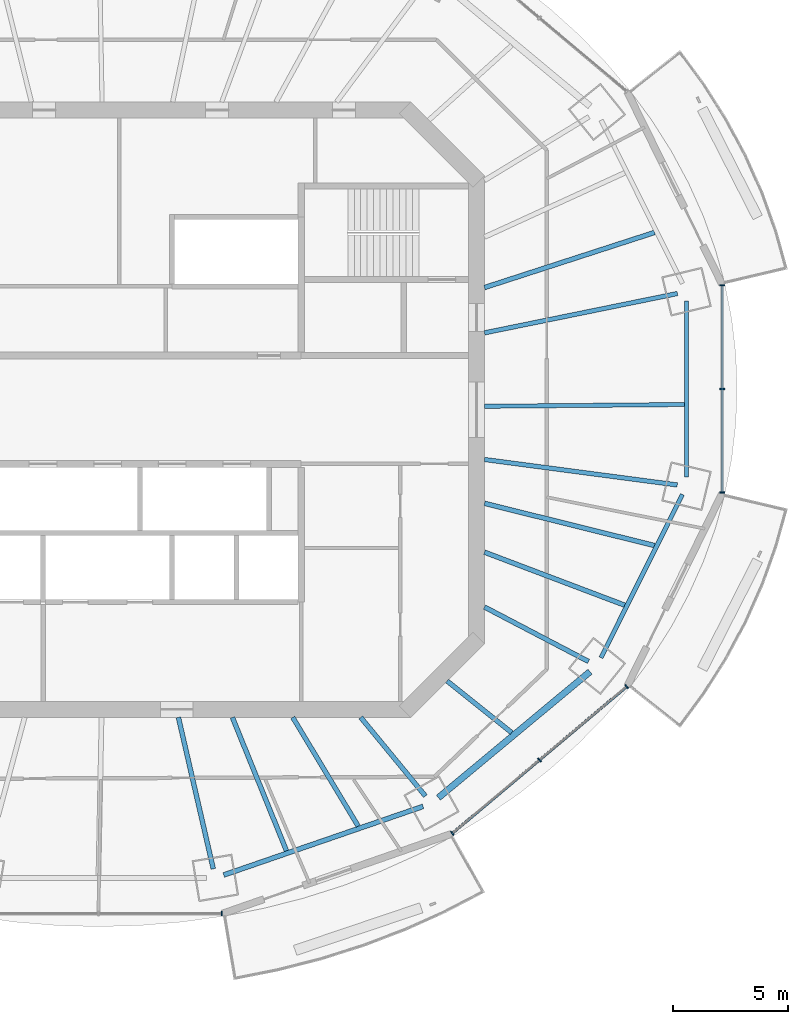
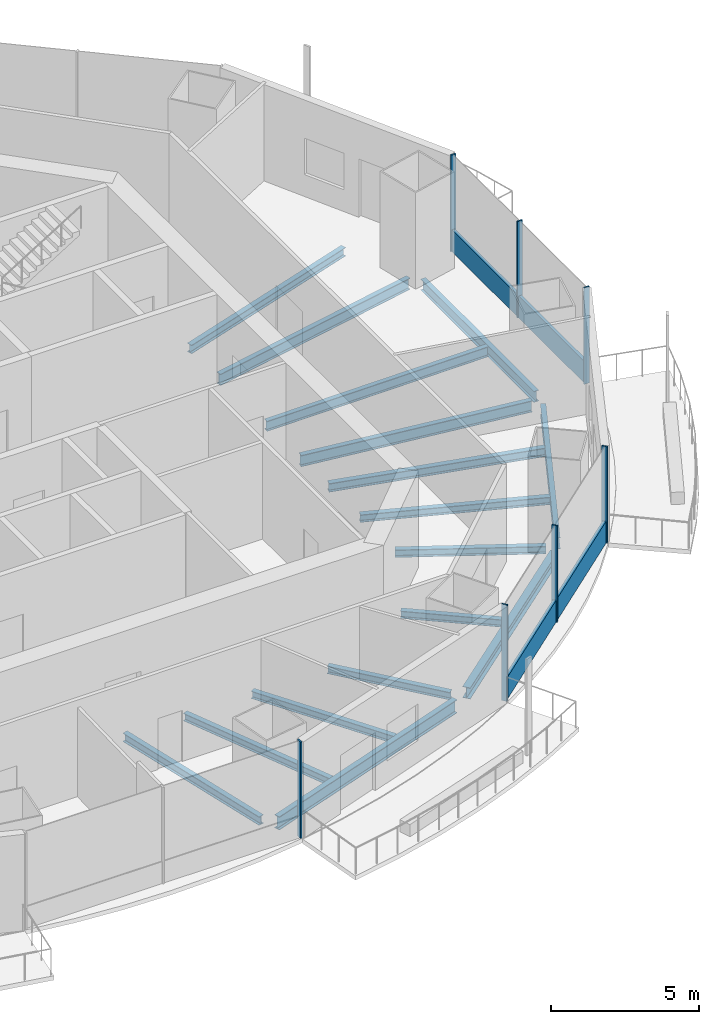
# One storey, part 4 of 16: 16 beams, 9 members, 3 elements without a shape of their own.
"""IFC4 building model written with IfcOpenShell, lengths in metres."""

from ifc_helpers import new_model, si_unit, direction, frame, origin, origin_2d, place, context, subcontext, project, spatial, rectangle, i_section, extrude, material, material_profile, profile_set, type_object, element, aggregate, save


model = new_model("IFC4")

# Units and contexts
model_context = context("Model", 3, precision=1e-05, world=origin(), true_north=direction((0.0, 1.0)))
body_context = subcontext(model_context, "Body", "Model", "MODEL_VIEW")
ifc_project = project(units=[si_unit("LENGTHUNIT", "METRE"), si_unit("AREAUNIT", "SQUARE_METRE"), si_unit("VOLUMEUNIT", "CUBIC_METRE"), si_unit("PLANEANGLEUNIT", "RADIAN"), si_unit("MASSUNIT", "GRAM", prefix="KILO")], contexts=[model_context])

# Site, building, storey
site_placement = place(None, origin())
site = spatial("IfcSite", under=ifc_project, at=site_placement, CompositionType="ELEMENT")
building_placement = place(site_placement, origin())
building = spatial("IfcBuilding", under=site, at=building_placement, Name="Marenthal Gate Tower", CompositionType="ELEMENT")
storey_placement = place(building_placement, frame((0.0, 0.0, 321.85009765625)))
storey = spatial("IfcBuildingStorey", under=building, at=storey_placement, Name="L72", CompositionType="ELEMENT", Elevation=321.85009765625)

# Curtain wall, member
ifc_material_1 = material(Name="Aluminium and glass", Category="aluminium")
curtain_wall_type = type_object("IfcCurtainWallType", Name="Curtain wall typical high", PredefinedType="NOTDEFINED", material=ifc_material_1)
curtain_wall_1_placement = place(storey_placement, origin())
curtain_wall_1 = element("IfcCurtainWall", 1, at=curtain_wall_1_placement, inside=storey, type_object=curtain_wall_type, Name="Curtain wall L72 bay 12", PredefinedType="NOTDEFINED")
ifc_material_2 = material(Name="Aluminium", Category="aluminium")
ifc_material_profile_1 = material_profile(ifc_material_2, rectangle(XDim=0.199951171875, YDim=0.06005859375, at=origin_2d()), Name="60x200 aluminium mullion")
ifc_profile_set_1 = profile_set([ifc_material_profile_1], Name="Aluminium")
member_type_1 = type_object("IfcMemberType", Name="Mullion 60x200 typical high", PredefinedType="MULLION", material=ifc_profile_set_1)
member_1_placement = place(storey_placement, frame((4.952880859375, -21.861083984375, 0.0), z_axis=(0.0, 0.0, 1.0), x_axis=(0.0, 1.0, 0.0)))
member_1 = element("IfcMember", 2, at=member_1_placement, type_object=member_type_1, Name="Mullion L72 bay 12.3", PredefinedType="MULLION", context=body_context, shape_type="SweptSolid", body=[
    extrude(rectangle(XDim=0.199951171875, YDim=0.06005859375, at=origin_2d()), origin(), (0.0, 0.0, 1.0), 3.969970703125),
])
aggregate(curtain_wall_1, [member_1])

# Curtain wall, members
curtain_wall_2_placement = place(storey_placement, origin())
curtain_wall_2 = element("IfcCurtainWall", 3, at=curtain_wall_2_placement, inside=storey, type_object=curtain_wall_type, Name="Curtain wall L72 bay 14", PredefinedType="NOTDEFINED")
member_2_placement = place(storey_placement, frame((14.9521484375, -18.376708984375, 0.0), z_axis=(0.0, 0.0, 1.0), x_axis=(-0.643676220215, 0.76529793122, 0.0)))
member_2 = element("IfcMember", 4, at=member_2_placement, type_object=member_type_1, Name="Mullion L72 bay 14.1", PredefinedType="MULLION", context=body_context, shape_type="SweptSolid", body=[
    extrude(rectangle(XDim=0.199951171875, YDim=0.06005859375, at=origin_2d()), origin(), (0.0, 0.0, 1.0), 3.969970703125),
])
member_3_placement = place(storey_placement, frame((18.735595703125, -15.194580078125, 0.0), z_axis=(0.0, 0.0, 1.0), x_axis=(-0.643676220215, 0.76529793122, 0.0)))
member_3 = element("IfcMember", 5, at=member_3_placement, type_object=member_type_1, Name="Mullion L72 bay 14.2", PredefinedType="MULLION", context=body_context, shape_type="SweptSolid", body=[
    extrude(rectangle(XDim=0.199951171875, YDim=0.06005859375, at=origin_2d()), origin(), (0.0, 0.0, 1.0), 3.969970703125),
])
member_4_placement = place(storey_placement, frame((22.518798828125, -12.012451171875, 0.0), z_axis=(0.0, 0.0, 1.0), x_axis=(-0.643676220215, 0.76529793122, 0.0)))
member_4 = element("IfcMember", 6, at=member_4_placement, type_object=member_type_1, Name="Mullion L72 bay 14.3", PredefinedType="MULLION", context=body_context, shape_type="SweptSolid", body=[
    extrude(rectangle(XDim=0.199951171875, YDim=0.06005859375, at=origin_2d()), origin(), (0.0, 0.0, 1.0), 3.969970703125),
])

curtain_wall_3_placement = place(storey_placement, origin())
curtain_wall_3 = element("IfcCurtainWall", 7, at=curtain_wall_3_placement, inside=storey, type_object=curtain_wall_type, Name="Curtain wall L72 bay 16", PredefinedType="NOTDEFINED")
member_5_placement = place(storey_placement, frame((26.661865234375, -3.597412109375, 0.0), z_axis=(0.0, 0.0, 1.0), x_axis=(-1.0, 0.0, 0.0)))
member_5 = element("IfcMember", 8, at=member_5_placement, type_object=member_type_1, Name="Mullion L72 bay 16.1", PredefinedType="MULLION", context=body_context, shape_type="SweptSolid", body=[
    extrude(rectangle(XDim=0.199951171875, YDim=0.06005859375, at=origin_2d()), origin(), (0.0, 0.0, 1.0), 3.969970703125),
])
member_6_placement = place(storey_placement, frame((26.661865234375, 0.89990234375, 0.0), z_axis=(0.0, 0.0, 1.0), x_axis=(-1.0, 0.0, 0.0)))
member_6 = element("IfcMember", 9, at=member_6_placement, type_object=member_type_1, Name="Mullion L72 bay 16.2", PredefinedType="MULLION", context=body_context, shape_type="SweptSolid", body=[
    extrude(rectangle(XDim=0.199951171875, YDim=0.06005859375, at=origin_2d()), origin(), (0.0, 0.0, 1.0), 3.969970703125),
])
member_7_placement = place(storey_placement, frame((26.661865234375, 5.3974609375, 0.0), z_axis=(0.0, 0.0, 1.0), x_axis=(-1.0, 0.0, 0.0)))
member_7 = element("IfcMember", 10, at=member_7_placement, type_object=member_type_1, Name="Mullion L72 bay 16.3", PredefinedType="MULLION", context=body_context, shape_type="SweptSolid", body=[
    extrude(rectangle(XDim=0.199951171875, YDim=0.06005859375, at=origin_2d()), origin(), (0.0, 0.0, 1.0), 3.969970703125),
])

# Member
ifc_material_3 = material(Name="Aluminium", Category="aluminium")
ifc_material_profile_2 = material_profile(ifc_material_3, rectangle(XDim=0.1201171875, YDim=0.89990234375, at=origin_2d()), Name="120x900 aluminium transom")
ifc_profile_set_2 = profile_set([ifc_material_profile_2], Name="Aluminium")
member_type_2 = type_object("IfcMemberType", Name="Transom 120x900 typical high", PredefinedType="USERDEFINED", material=ifc_profile_set_2)
member_8_placement = place(storey_placement, frame((14.97509765625, -18.357177734375, 0.449951171875), z_axis=(0.765303397989, 0.643669720451, 0.0), x_axis=(-0.643669720451, 0.765303397989, 0.0)))
member_8 = element("IfcMember", 11, at=member_8_placement, type_object=member_type_2, Name="Transom L72 bay 14", ObjectType="TRANSOM", PredefinedType="USERDEFINED", context=body_context, shape_type="SweptSolid", body=[
    extrude(rectangle(XDim=0.1201171875, YDim=0.89990234375, at=origin_2d()), origin(), (0.0, 0.0, 1.0), 9.8271484375),
])

aggregate(curtain_wall_2, [member_2, member_3, member_4, member_8])

member_9_placement = place(storey_placement, frame((26.661865234375, -3.5673828125, 0.449951171875), z_axis=(0.0, 1.0, 0.0), x_axis=(-1.0, 0.0, 0.0)))
member_9 = element("IfcMember", 12, at=member_9_placement, type_object=member_type_2, Name="Transom L72 bay 16", ObjectType="TRANSOM", PredefinedType="USERDEFINED", context=body_context, shape_type="SweptSolid", body=[
    extrude(rectangle(XDim=0.1201171875, YDim=0.89990234375, at=origin_2d()), origin(), (0.0, 0.0, 1.0), 8.934814453125),
])

aggregate(curtain_wall_3, [member_5, member_6, member_7, member_9])

# Beams
ifc_material_4 = material(Name="Steel S355", Category="steel")
ifc_material_profile_3 = material_profile(ifc_material_4, i_section(OverallWidth=0.202880859375, OverallDepth=0.302001953125, WebThickness=0.007568359375, FlangeThickness=0.01318359375, FilletRadius=0.0126953125, at=origin_2d()), Name="W310X60")
ifc_profile_set_3 = profile_set([ifc_material_profile_3], Name="Steel S355")
beam_type_1 = type_object("IfcBeamType", Name="W310X60 beam", PredefinedType="BEAM", material=ifc_profile_set_3)
beam_1_placement = place(storey_placement, frame((10.8701171875, -18.06591796875, -0.3310546875), z_axis=(-0.51555217698, 0.856858187106, 0.0), x_axis=(-0.856858187106, -0.51555217698, 0.0)))
element("IfcBeam", 13, at=beam_1_placement, inside=storey, type_object=beam_type_1, Name="BM-L72-36", PredefinedType="BEAM", context=body_context, shape_type="SweptSolid", body=[
    extrude(i_section(OverallWidth=0.202880859375, OverallDepth=0.302001953125, WebThickness=0.007568359375, FlangeThickness=0.01318359375, FilletRadius=0.0126953125, at=origin_2d()), origin(), (0.0, 0.0, 1.0), 5.503662109375),
])
beam_2_placement = place(storey_placement, frame((17.528564453125, -14.009765625, -0.3310546875), z_axis=(-0.781160795832, 0.624329889605, 0.0), x_axis=(-0.624329889605, -0.781160795832, 0.0)))
element("IfcBeam", 14, at=beam_2_placement, inside=storey, type_object=beam_type_1, Name="BM-L72-37", PredefinedType="BEAM", context=body_context, shape_type="SweptSolid", body=[
    extrude(i_section(OverallWidth=0.202880859375, OverallDepth=0.302001953125, WebThickness=0.007568359375, FlangeThickness=0.01318359375, FilletRadius=0.0126953125, at=origin_2d()), origin(), (0.0, 0.0, 1.0), 3.588134765625),
])
ifc_material_5 = material(Name="Steel S355", Category="steel")
ifc_material_profile_4 = material_profile(ifc_material_5, i_section(OverallWidth=0.205078125, OverallDepth=0.31005859375, WebThickness=0.009521484375, FlangeThickness=0.016357421875, FilletRadius=0.0126953125, at=origin_2d()), Name="W310X74")
ifc_profile_set_4 = profile_set([ifc_material_profile_4], Name="Steel S355")
beam_type_2 = type_object("IfcBeamType", Name="W310X74 beam", PredefinedType="BEAM", material=ifc_profile_set_4)
beam_3_placement = place(storey_placement, frame((13.787841796875, -16.76171875, -0.335205078125), z_axis=(-0.635279045453, 0.772282677786, 0.0), x_axis=(-0.772282677786, -0.635279045453, 0.0)))
element("IfcBeam", 15, at=beam_3_placement, inside=storey, type_object=beam_type_2, Name="BM-L72-14", PredefinedType="BEAM", context=body_context, shape_type="SweptSolid", body=[
    extrude(i_section(OverallWidth=0.205078125, OverallDepth=0.31005859375, WebThickness=0.009521484375, FlangeThickness=0.016357421875, FilletRadius=0.0126953125, at=origin_2d()), origin(), (0.0, 0.0, 1.0), 4.41748046875),
])
beam_4_placement = place(storey_placement, frame((20.8583984375, -10.921630859375, -0.335205078125), z_axis=(-0.885903828279, 0.463868954599, 0.0), x_axis=(-0.463868954599, -0.885903828279, 0.0)))
element("IfcBeam", 16, at=beam_4_placement, inside=storey, type_object=beam_type_2, Name="BM-L72-15", PredefinedType="BEAM", context=body_context, shape_type="SweptSolid", body=[
    extrude(i_section(OverallWidth=0.205078125, OverallDepth=0.31005859375, WebThickness=0.009521484375, FlangeThickness=0.016357421875, FilletRadius=0.0126953125, at=origin_2d()), origin(), (0.0, 0.0, 1.0), 5.0888671875),
])
beam_5_placement = place(storey_placement, frame((7.760498046875, -19.13671875, -0.335205078125), z_axis=(-0.375808566088, 0.926697319331, 0.0), x_axis=(-0.926697319331, -0.375808566088, 0.0)))
element("IfcBeam", 17, at=beam_5_placement, inside=storey, type_object=beam_type_2, Name="BM-L72-35", PredefinedType="BEAM", context=body_context, shape_type="SweptSolid", body=[
    extrude(i_section(OverallWidth=0.205078125, OverallDepth=0.31005859375, WebThickness=0.009521484375, FlangeThickness=0.016357421875, FilletRadius=0.0126953125, at=origin_2d()), origin(), (0.0, 0.0, 1.0), 6.244384765625),
])
beam_6_placement = place(storey_placement, frame((22.43310546875, -8.482666015625, -0.335205078125), z_axis=(-0.935356762077, 0.353705707669, 0.0), x_axis=(-0.353705707669, -0.935356762077, 0.0)))
element("IfcBeam", 18, at=beam_6_placement, inside=storey, type_object=beam_type_2, Name="BM-L72-38", PredefinedType="BEAM", context=body_context, shape_type="SweptSolid", body=[
    extrude(i_section(OverallWidth=0.205078125, OverallDepth=0.31005859375, WebThickness=0.009521484375, FlangeThickness=0.016357421875, FilletRadius=0.0126953125, at=origin_2d()), origin(), (0.0, 0.0, 1.0), 6.50341796875),
])
ifc_material_6 = material(Name="Steel S355", Category="steel")
ifc_material_profile_5 = material_profile(ifc_material_6, i_section(OverallWidth=0.205078125, OverallDepth=0.35302734375, WebThickness=0.009521484375, FlangeThickness=0.016845703125, FilletRadius=0.014892578125, at=origin_2d()), Name="W360X79")
ifc_profile_set_5 = profile_set([ifc_material_profile_5], Name="Steel S355")
beam_type_3 = type_object("IfcBeamType", Name="W360X79 beam", PredefinedType="BEAM", material=ifc_profile_set_5)
beam_7_placement = place(storey_placement, frame((4.584716796875, -19.919921875, -0.356689453125), z_axis=(-0.224309344002, 0.97451799275, 0.0), x_axis=(-0.97451799275, -0.224309344002, 0.0)))
element("IfcBeam", 19, at=beam_7_placement, inside=storey, type_object=beam_type_3, Name="BM-L72-13", PredefinedType="BEAM", context=body_context, shape_type="SweptSolid", body=[
    extrude(i_section(OverallWidth=0.205078125, OverallDepth=0.35302734375, WebThickness=0.009521484375, FlangeThickness=0.016845703125, FilletRadius=0.014892578125, at=origin_2d()), origin(), (0.0, 0.0, 1.0), 6.74169921875),
])
beam_8_placement = place(storey_placement, frame((23.7255859375, 7.68798828125, -0.356689453125), z_axis=(-0.951304454926, -0.308252873528, 0.0), x_axis=(0.308252873528, -0.951304454926, 0.0)))
element("IfcBeam", 20, at=beam_8_placement, inside=storey, type_object=beam_type_3, Name="BM-L72-17", PredefinedType="BEAM", context=body_context, shape_type="SweptSolid", body=[
    extrude(i_section(OverallWidth=0.205078125, OverallDepth=0.35302734375, WebThickness=0.009521484375, FlangeThickness=0.016845703125, FilletRadius=0.014892578125, at=origin_2d()), origin(), (0.0, 0.0, 1.0), 7.7529296875),
])
beam_9_placement = place(storey_placement, frame((23.72265625, -5.894287109375, -0.356689453125), z_axis=(-0.970493104416, 0.24112887484, 0.0), x_axis=(-0.24112887484, -0.970493104416, 0.0)))
element("IfcBeam", 21, at=beam_9_placement, inside=storey, type_object=beam_type_3, Name="BM-L72-39", PredefinedType="BEAM", context=body_context, shape_type="SweptSolid", body=[
    extrude(i_section(OverallWidth=0.205078125, OverallDepth=0.35302734375, WebThickness=0.009521484375, FlangeThickness=0.016845703125, FilletRadius=0.014892578125, at=origin_2d()), origin(), (0.0, 0.0, 1.0), 7.5966796875),
])
ifc_material_7 = material(Name="Steel S355", Category="steel")
ifc_material_profile_6 = material_profile(ifc_material_7, i_section(OverallWidth=0.180908203125, OverallDepth=0.4169921875, WebThickness=0.010986328125, FlangeThickness=0.018310546875, FilletRadius=0.01025390625, at=origin_2d()), Name="W410X85")
ifc_profile_set_6 = profile_set([ifc_material_profile_6], Name="Steel S355")
beam_type_4 = type_object("IfcBeamType", Name="W410X85 beam", PredefinedType="BEAM", material=ifc_profile_set_6)
beam_10_placement = place(storey_placement, frame((25.0166015625, 0.22412109375, -0.388671875), z_axis=(-0.999959877283, -0.00895789174, 0.0), x_axis=(0.00895789174, -0.999959877283, 0.0)))
element("IfcBeam", 22, at=beam_10_placement, inside=storey, type_object=beam_type_4, Name="BM-L72-40", PredefinedType="BEAM", context=body_context, shape_type="SweptSolid", body=[
    extrude(i_section(OverallWidth=0.180908203125, OverallDepth=0.4169921875, WebThickness=0.010986328125, FlangeThickness=0.018310546875, FilletRadius=0.01025390625, at=origin_2d()), origin(), (0.0, 0.0, 1.0), 8.666748046875),
])
ifc_material_8 = material(Name="Steel S355", Category="steel")
ifc_material_profile_7 = material_profile(ifc_material_8, i_section(OverallWidth=0.279052734375, OverallDepth=0.4619140625, WebThickness=0.0107421875, FlangeThickness=0.017333984375, FilletRadius=0.010009765625, at=origin_2d()), Name="W460X113")
ifc_profile_set_7 = profile_set([ifc_material_profile_7], Name="Steel S355")
beam_type_5 = type_object("IfcBeamType", Name="W460X113 beam", PredefinedType="BEAM", material=ifc_profile_set_7)
beam_11_placement = place(storey_placement, frame((14.351806640625, -16.83251953125, -0.4111328125), z_axis=(0.768948693019, 0.639310493817, 0.0), x_axis=(-0.639310493817, 0.768948693019, 0.0)))
element("IfcBeam", 23, at=beam_11_placement, inside=storey, type_object=beam_type_5, Name="BM-L72-54", PredefinedType="BEAM", context=body_context, shape_type="SweptSolid", body=[
    extrude(i_section(OverallWidth=0.279052734375, OverallDepth=0.4619140625, WebThickness=0.0107421875, FlangeThickness=0.017333984375, FilletRadius=0.010009765625, at=origin_2d()), origin(), (0.0, 0.0, 1.0), 8.550048828125),
])
ifc_material_9 = material(Name="Steel S355", Category="steel")
ifc_material_profile_8 = material_profile(ifc_material_9, i_section(OverallWidth=0.19091796875, OverallDepth=0.45703125, WebThickness=0.009033203125, FlangeThickness=0.014404296875, FilletRadius=0.01025390625, at=origin_2d()), Name="W460X74")
ifc_profile_set_8 = profile_set([ifc_material_profile_8], Name="Steel S355")
beam_type_6 = type_object("IfcBeamType", Name="W460X74 beam", PredefinedType="BEAM", material=ifc_profile_set_8)
beam_12_placement = place(storey_placement, frame((21.404541015625, -10.76123046875, -0.40869140625), z_axis=(0.445942547234, 0.895061587024, 0.0), x_axis=(-0.895061587024, 0.445942547234, 0.0)))
element("IfcBeam", 24, at=beam_12_placement, inside=storey, type_object=beam_type_6, Name="BM-L72-55", PredefinedType="BEAM", context=body_context, shape_type="SweptSolid", body=[
    extrude(i_section(OverallWidth=0.19091796875, OverallDepth=0.45703125, WebThickness=0.009033203125, FlangeThickness=0.014404296875, FilletRadius=0.01025390625, at=origin_2d()), origin(), (0.0, 0.0, 1.0), 7.91650390625),
])
beam_13_placement = place(storey_placement, frame((25.1123046875, -2.91943359375, -0.40869140625), z_axis=(0.0, 1.0, 0.0), x_axis=(-1.0, 0.0, 0.0)))
element("IfcBeam", 25, at=beam_13_placement, inside=storey, type_object=beam_type_6, Name="BM-L72-56", PredefinedType="BEAM", context=body_context, shape_type="SweptSolid", body=[
    extrude(i_section(OverallWidth=0.19091796875, OverallDepth=0.45703125, WebThickness=0.009033203125, FlangeThickness=0.014404296875, FilletRadius=0.01025390625, at=origin_2d()), origin(), (0.0, 0.0, 1.0), 7.638916015625),
])
ifc_material_10 = material(Name="Steel S355", Category="steel")
ifc_material_profile_9 = material_profile(ifc_material_10, i_section(OverallWidth=0.193115234375, OverallDepth=0.467041015625, WebThickness=0.011474609375, FlangeThickness=0.01904296875, FilletRadius=0.010009765625, at=origin_2d()), Name="W460X97")
ifc_profile_set_9 = profile_set([ifc_material_profile_9], Name="Steel S355")
beam_type_7 = type_object("IfcBeamType", Name="W460X97 beam", PredefinedType="BEAM", material=ifc_profile_set_9)
beam_14_placement = place(storey_placement, frame((24.7197265625, 5.039306640625, -0.41357421875), z_axis=(-0.97984506537, -0.199758974443, 0.0), x_axis=(0.199758974443, -0.97984506537, 0.0)))
element("IfcBeam", 26, at=beam_14_placement, inside=storey, type_object=beam_type_7, Name="BM-L72-01", PredefinedType="BEAM", context=body_context, shape_type="SweptSolid", body=[
    extrude(i_section(OverallWidth=0.193115234375, OverallDepth=0.467041015625, WebThickness=0.011474609375, FlangeThickness=0.01904296875, FilletRadius=0.010009765625, at=origin_2d()), origin(), (0.0, 0.0, 1.0), 8.541748046875),
])
beam_15_placement = place(storey_placement, frame((24.7109375, -3.26611328125, -0.41357421875), z_axis=(-0.991379445633, 0.131022115603, 0.0), x_axis=(-0.131022115603, -0.991379445633, 0.0)))
element("IfcBeam", 27, at=beam_15_placement, inside=storey, type_object=beam_type_7, Name="BM-L72-16", PredefinedType="BEAM", context=body_context, shape_type="SweptSolid", body=[
    extrude(i_section(OverallWidth=0.193115234375, OverallDepth=0.467041015625, WebThickness=0.011474609375, FlangeThickness=0.01904296875, FilletRadius=0.010009765625, at=origin_2d()), origin(), (0.0, 0.0, 1.0), 8.43359375),
])
ifc_material_11 = material(Name="Steel S355", Category="steel")
ifc_material_profile_10 = material_profile(ifc_material_11, i_section(OverallWidth=0.2119140625, OverallDepth=0.5439453125, WebThickness=0.01318359375, FlangeThickness=0.021240234375, FilletRadius=0.0126953125, at=origin_2d()), Name="W530X123")
ifc_profile_set_10 = profile_set([ifc_material_profile_10], Name="Steel S355")
beam_type_8 = type_object("IfcBeamType", Name="W530X123 beam", PredefinedType="BEAM", material=ifc_profile_set_10)
beam_16_placement = place(storey_placement, frame((5.041015625, -20.185302734375, -0.4521484375), z_axis=(0.945501195555, 0.325618625394, 0.0), x_axis=(-0.325618625394, 0.945501195555, 0.0)))
element("IfcBeam", 28, at=beam_16_placement, inside=storey, type_object=beam_type_8, Name="BM-L72-53", PredefinedType="BEAM", context=body_context, shape_type="SweptSolid", body=[
    extrude(i_section(OverallWidth=0.2119140625, OverallDepth=0.5439453125, WebThickness=0.01318359375, FlangeThickness=0.021240234375, FilletRadius=0.0126953125, at=origin_2d()), origin(), (0.0, 0.0, 1.0), 9.141357421875),
])

save(model, "model.ifc")
